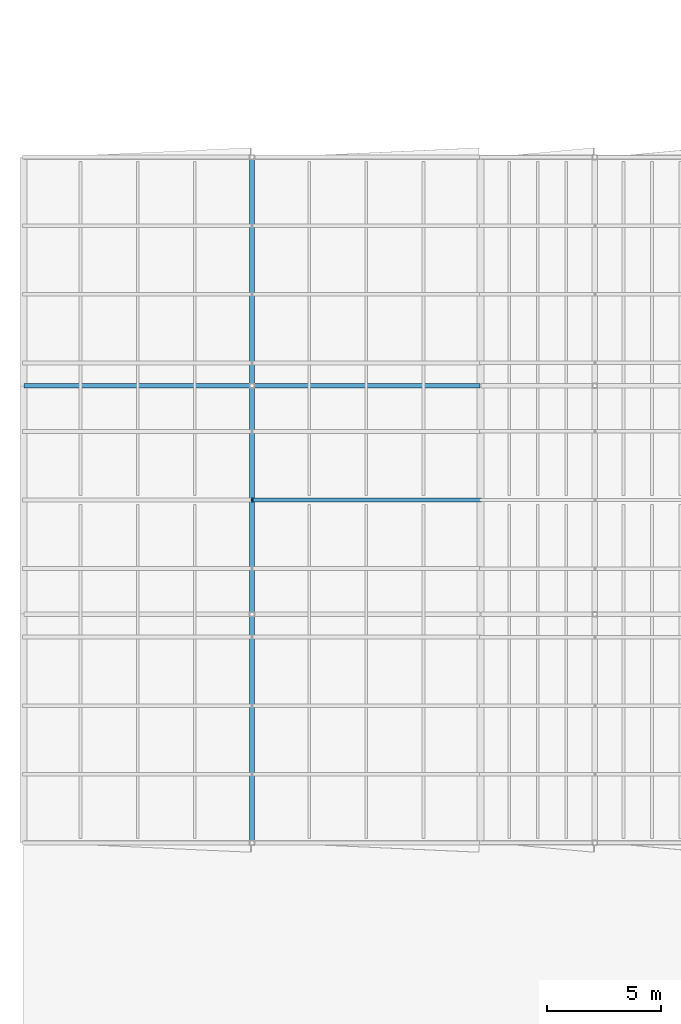
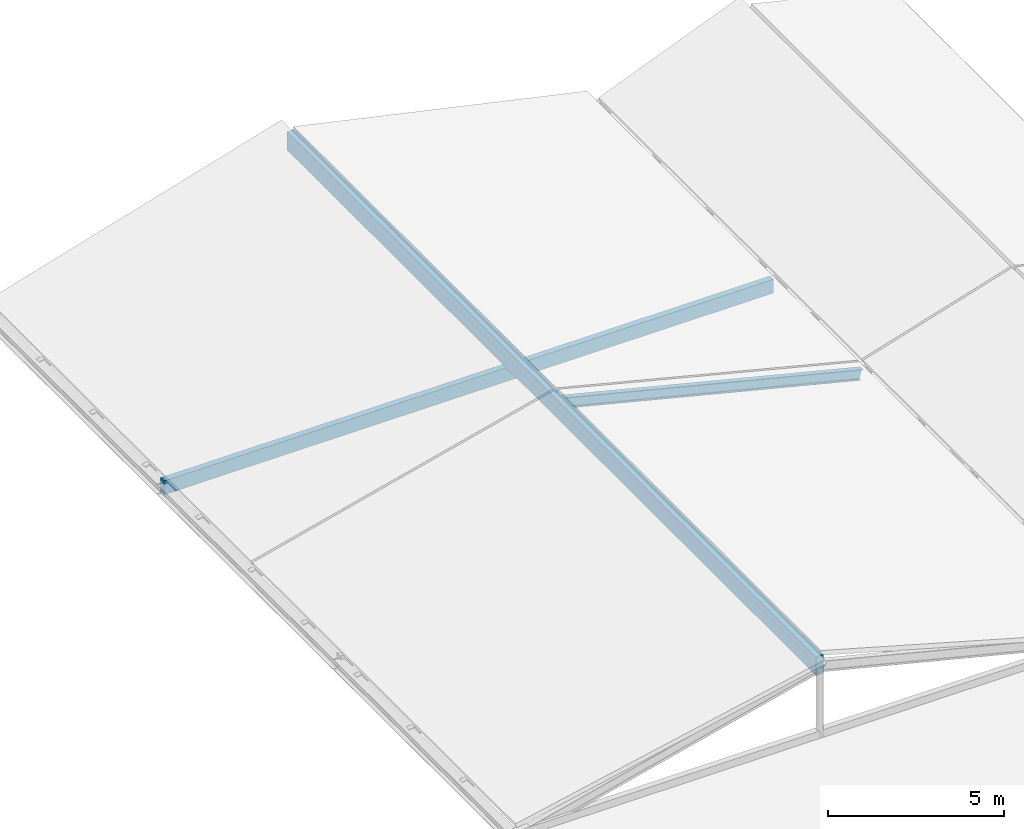
# One storey, part 3 of 90: 2 beams, 1 member.
"""IFC4 building model written with IfcOpenShell, lengths in metres."""

from ifc_helpers import new_model, si_unit, direction, frame, origin, origin_2d, place, context, subcontext, project, spatial, rectangle, i_section, extrude, material, material_profile, profile_set, type_object, element, save


model = new_model("IFC4")

# Units and contexts
model_context = context("Model", 3, precision=1e-05, world=origin(), true_north=direction((0.0, 1.0)))
body_context = subcontext(model_context, "Body", "Model", "MODEL_VIEW")
ifc_project = project(units=[si_unit("LENGTHUNIT", "METRE"), si_unit("AREAUNIT", "SQUARE_METRE"), si_unit("VOLUMEUNIT", "CUBIC_METRE"), si_unit("PLANEANGLEUNIT", "RADIAN"), si_unit("MASSUNIT", "GRAM", prefix="KILO"), si_unit("THERMODYNAMICTEMPERATUREUNIT", "KELVIN"), si_unit("POWERUNIT", "WATT")], contexts=[model_context])

# Site, building, storey
site_placement = place(None, origin())
site = spatial("IfcSite", under=ifc_project, at=site_placement, CompositionType="ELEMENT")
building_placement = place(site_placement, origin())
building = spatial("IfcBuilding", under=site, at=building_placement, Name="Korenveer Ferry Terminal", CompositionType="ELEMENT")
storey_placement = place(building_placement, frame((0.0, 0.0, 22.199951171875)))
storey = spatial("IfcBuildingStorey", under=building, at=storey_placement, Name="RF", CompositionType="ELEMENT", Elevation=22.199951171875)

# Member
ifc_material_1 = material(Name="Steel S355", Category="steel")
ifc_material_profile_1 = material_profile(ifc_material_1, i_section(OverallWidth=0.169921875, OverallDepth=0.360107421875, WebThickness=0.008056640625, FlangeThickness=0.0126953125, FilletRadius=0.01806640625, at=origin_2d()), Name="IPE 360")
ifc_profile_set_1 = profile_set([ifc_material_profile_1], Name="Steel S355")
member_type = type_object("IfcMemberType", Name="STR-RAF-IPE360", PredefinedType="RAFTER", material=ifc_profile_set_1)
member_placement = place(storey_placement, frame((10.0, 45.0, 2.679931640625), z_axis=(0.970142500145, 0.0, -0.242535625036), x_axis=(0.0, 1.0, 0.0)))
element("IfcMember", 1, at=member_placement, inside=storey, type_object=member_type, Name="Pitched roof rafter 96", PredefinedType="RAFTER", context=body_context, shape_type="SweptSolid", body=[
    extrude(i_section(OverallWidth=0.169921875, OverallDepth=0.360107421875, WebThickness=0.008056640625, FlangeThickness=0.0126953125, FilletRadius=0.01806640625, at=origin_2d()), origin(), (0.0, 0.0, 1.0), 10.307861328125),
])

# Beams
ifc_material_2 = material(Name="Glulam GL28h", Category="wood")
ifc_material_profile_2 = material_profile(ifc_material_2, rectangle(XDim=0.199951171875, YDim=0.47998046875, at=origin_2d()), Name="GL 200x480")
ifc_profile_set_2 = profile_set([ifc_material_profile_2], Name="Glulam GL28h")
beam_type_1 = type_object("IfcBeamType", Name="STR-RFG-GL200", PredefinedType="USERDEFINED", material=ifc_profile_set_2)
beam_1_placement = place(storey_placement, frame((0.02001953125, 50.0, 0.239990234375), z_axis=(1.0, 0.0, 0.0), x_axis=(0.0, 1.0, 0.0)))
element("IfcBeam", 2, at=beam_1_placement, inside=storey, type_object=beam_type_1, Name="Wing roof collar tie WEST 181", ObjectType="ROOF GIRDER", PredefinedType="USERDEFINED", context=body_context, shape_type="SweptSolid", body=[
    extrude(rectangle(XDim=0.199951171875, YDim=0.47998046875, at=origin_2d()), origin(), (0.0, 0.0, 1.0), 19.9599609375),
])
ifc_material_profile_3 = material_profile(ifc_material_2, rectangle(XDim=0.239990234375, YDim=0.639892578125, at=origin_2d()), Name="GL 240x640")
ifc_profile_set_3 = profile_set([ifc_material_profile_3], Name="Glulam GL28h")
beam_type_2 = type_object("IfcBeamType", Name="STR-RFG-GL240", PredefinedType="USERDEFINED", material=ifc_profile_set_3)
beam_2_placement = place(storey_placement, frame((10.0, 30.0, 2.679931640625), z_axis=(0.0, 1.0, 0.0), x_axis=(-1.0, 0.0, 0.0)))
element("IfcBeam", 3, at=beam_2_placement, inside=storey, type_object=beam_type_2, Name="Wing roof glulam ridge beam WEST", ObjectType="ROOF GIRDER", PredefinedType="USERDEFINED", context=body_context, shape_type="SweptSolid", body=[
    extrude(rectangle(XDim=0.239990234375, YDim=0.639892578125, at=origin_2d()), origin(), (0.0, 0.0, 1.0), 30.0),
])

save(model, "model.ifc")
